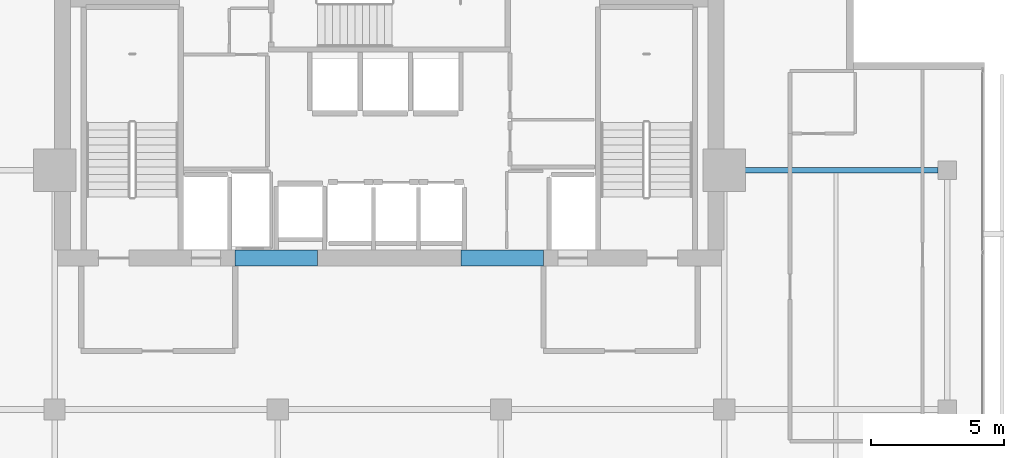
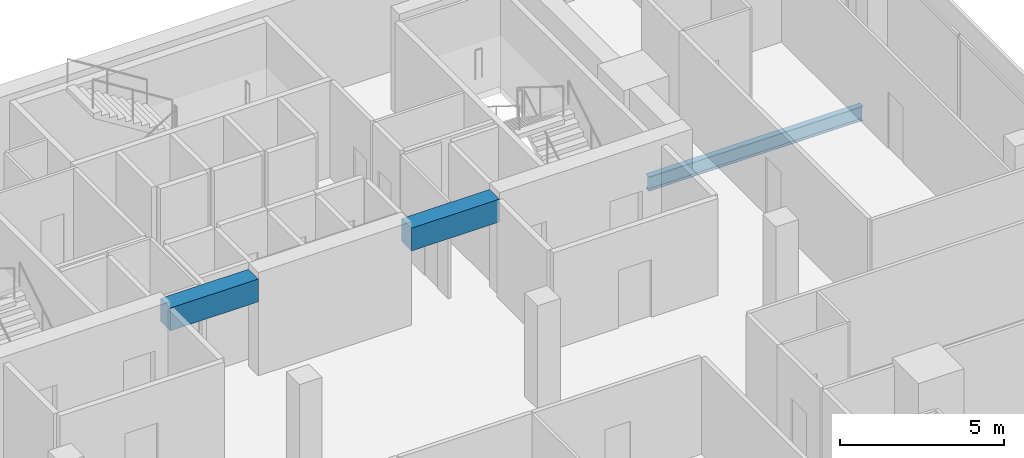
# One storey, part 17 of 25: 3 beams.
"""IFC4 building model written with IfcOpenShell, lengths in metres."""

import ifcopenshell
import ifcopenshell.guid

model = None  # the IFC model being written
_history = None  # IfcOwnerHistory: only IFC2X3 demands one
_inside = {}  # id of a spatial element -> (the spatial element, [elements in it])
_under = {}  # id of a project, library or spatial element -> (it, [spatial elements below it])
_declared = {}  # id of a project -> (the project, [libraries it declares])
_typed = {}  # id of a type object -> (the type object, [elements of that type])
_made_of = {}  # id of a material, layer set ... -> (it, [elements and type objects made of it])


def new_model(schema):
    """Start an empty IFC model of exactly this schema.

    Asked for "IFC4X3", IfcOpenShell would pick the latest addendum, in which some entities
    have other attributes; the version numbers below select the first issue.
    IFC2X3 requires an IfcOwnerHistory on every rooted entity: one is made here for all.
    """
    global model, _history
    if schema == "IFC4X3":
        model = ifcopenshell.file(schema_version=(4, 3, 0, 0))
    else:
        model = ifcopenshell.file(schema=schema)
    _inside.clear()
    _under.clear()
    _declared.clear()
    _typed.clear()
    _made_of.clear()
    _history = None
    if model.schema == "IFC2X3":
        org = make("IfcOrganization", Name="unknown")
        user = make(
            "IfcPersonAndOrganization",
            ThePerson=make("IfcPerson", FamilyName="unknown"),
            TheOrganization=org,
        )
        app = make(
            "IfcApplication",
            ApplicationDeveloper=org,
            Version="unknown",
            ApplicationFullName="unknown",
            ApplicationIdentifier="unknown",
        )
        _history = make(
            "IfcOwnerHistory",
            OwningUser=user,
            OwningApplication=app,
            ChangeAction="ADDED",
            CreationDate=0,
        )
    return model


def make(cls, **values):
    """One entity of the class cls with the attributes given. An attribute that is None is left unset."""
    return model.create_entity(
        cls, **{name: value for name, value in values.items() if value is not None}
    )


def rooted(cls, **values):
    """An entity with a GlobalId (a new one), such as an element, a storey or a relation."""
    return make(cls, GlobalId=ifcopenshell.guid.new(), OwnerHistory=_history, **values)


def si_unit(unit_type, name, prefix=None):
    """IfcSIUnit, for example si_unit("LENGTHUNIT", "METRE", prefix="MILLI")."""
    return make("IfcSIUnit", UnitType=unit_type, Prefix=prefix, Name=name)


def assignment(units):
    """IfcUnitAssignment: the units of a project."""
    return None if units is None else make("IfcUnitAssignment", Units=units)


def point(xyz):
    """IfcCartesianPoint."""
    return None if xyz is None else make("IfcCartesianPoint", Coordinates=xyz)


def direction(xyz):
    """IfcDirection."""
    return None if xyz is None else make("IfcDirection", DirectionRatios=xyz)


def frame(location, z_axis=None, x_axis=None):
    """IfcAxis2Placement3D, a coordinate frame: its origin and axes. An axis left out is left unset."""
    return make(
        "IfcAxis2Placement3D",
        Location=point(location),
        Axis=direction(z_axis),
        RefDirection=direction(x_axis),
    )


def frame_2d(location, x_axis=None):
    """IfcAxis2Placement2D, a coordinate frame in the plane: its origin and x axis."""
    return make(
        "IfcAxis2Placement2D", Location=point(location), RefDirection=direction(x_axis)
    )


def origin():
    """The frame at (0, 0, 0) with its axes left unset."""
    return frame((0.0, 0.0, 0.0))


def origin_2d():
    """The frame at (0, 0) in the plane with its x axis left unset."""
    return frame_2d((0.0, 0.0))


def place(relative_to, where):
    """IfcLocalPlacement: puts the frame where relative to a parent placement (None: the world)."""
    return make(
        "IfcLocalPlacement", PlacementRelTo=relative_to, RelativePlacement=where
    )


def context(
    kind, dimensions, precision=None, world=None, true_north=None, identifier=None
):
    """IfcGeometricRepresentationContext, for example the 3D "Model" context."""
    return make(
        "IfcGeometricRepresentationContext",
        ContextIdentifier=identifier,
        ContextType=kind,
        CoordinateSpaceDimension=dimensions,
        Precision=precision,
        WorldCoordinateSystem=world,
        TrueNorth=true_north,
    )


def subcontext(parent, identifier, kind, view, scale=None):
    """IfcGeometricRepresentationSubContext, for example "Body" below "Model"."""
    return make(
        "IfcGeometricRepresentationSubContext",
        ContextIdentifier=identifier,
        ContextType=kind,
        ParentContext=parent,
        TargetScale=scale,
        TargetView=view,
    )


def project(units=None, contexts=None):
    """IfcProject with its units and contexts."""
    return rooted(
        "IfcProject",
        Name="project",
        RepresentationContexts=contexts,
        UnitsInContext=assignment(units),
    )


def spatial(cls, under=None, at=None, **own):
    """A site, building, storey or space (cls), placed at a placement, below another one or the project."""
    s = rooted(cls, ObjectPlacement=at, **own)
    if under is not None:
        _under.setdefault(under.id(), (under, []))[1].append(s)
    return s


def profile(cls, at=None, kind="AREA", **sizes):
    """A parametric profile (cls). Its sizes go by their IFC names, for example OverallWidth=200.0."""
    return make(cls, ProfileType=kind, Position=at, **sizes)


def rectangle(**sizes):
    """IfcRectangleProfileDef."""
    return profile("IfcRectangleProfileDef", **sizes)


def i_section(**sizes):
    """IfcIShapeProfileDef."""
    return profile("IfcIShapeProfileDef", **sizes)


def extrude(swept, where, along, depth):
    """IfcExtrudedAreaSolid: the profile swept, set in the frame where, extruded along a direction by depth."""
    return make(
        "IfcExtrudedAreaSolid",
        SweptArea=swept,
        Position=where,
        ExtrudedDirection=direction(along),
        Depth=depth,
    )


def shape(context_of_items, identifier, shape_type, items):
    """IfcShapeRepresentation: the items that make up one representation, for example the "Body"."""
    return make(
        "IfcShapeRepresentation",
        ContextOfItems=context_of_items,
        RepresentationIdentifier=identifier,
        RepresentationType=shape_type,
        Items=items,
    )


def material(Name=None, Category=None):
    """IfcMaterial."""
    return make("IfcMaterial", Name=Name, Category=Category)


def material_profile(
    of_material, cross_section, Name=None, Category=None, Priority=None
):
    """IfcMaterialProfile: a cross section and its material."""
    return make(
        "IfcMaterialProfile",
        Name=Name,
        Material=of_material,
        Profile=cross_section,
        Priority=Priority,
        Category=Category,
    )


def profile_set(profiles, Name=None, composite=None):
    """IfcMaterialProfileSet."""
    return make(
        "IfcMaterialProfileSet",
        Name=Name,
        MaterialProfiles=profiles,
        CompositeProfile=composite,
    )


def made_of(thing, what):
    """Note that an element or type object is made of a material, layer set ...; save() writes the relation."""
    if what is not None:
        _made_of.setdefault(what.id(), (what, []))[1].append(thing)
    return thing


def type_object(cls, material=None, **own):
    """A type object (cls), such as IfcWallType, which elements share."""
    return made_of(rooted(cls, **own), material)


def element(
    cls,
    number,
    at=None,
    inside=None,
    cuts=None,
    type_object=None,
    material=None,
    context=None,
    identifier="Body",
    shape_type=None,
    held_by="IfcProductDefinitionShape",
    body=None,
    shapes=None,
    **own,
):
    """One element of the class cls, such as IfcWall. Its Tag is "e" and its number.

    at: its placement. inside: the storey or other place that contains it. cuts: it is an
    opening in that element (IfcRelVoidsElement). A single representation is given by context,
    identifier, shape_type and body (its items); several are given by shapes. held_by: the class
    of the entity that holds the representations. save() writes the other relations.
    """
    e = rooted(cls, Tag="e%d" % number, ObjectPlacement=at, **own)
    if body is not None:
        shapes = [shape(context, identifier, shape_type, body)]
    if shapes is not None:
        e.Representation = make(held_by, Representations=shapes)
    if inside is not None:
        _inside.setdefault(inside.id(), (inside, []))[1].append(e)
    if cuts is not None:
        rooted(
            "IfcRelVoidsElement", RelatingBuildingElement=cuts, RelatedOpeningElement=e
        )
    if type_object is not None:
        _typed.setdefault(type_object.id(), (type_object, []))[1].append(e)
    return made_of(e, material)


def aggregate(whole, parts):
    """IfcRelAggregates: a whole, such as a stair, and the parts it consists of."""
    return rooted("IfcRelAggregates", RelatingObject=whole, RelatedObjects=parts)


def save(model, path):
    """Write the relations noted so far, then the file.

    IfcRelAggregates (storeys below a building ...), IfcRelContainedInSpatialStructure (elements
    in a storey), IfcRelDefinesByType, IfcRelAssociatesMaterial and IfcRelDeclares: one each for
    every whole, place, type object, material and project.
    """
    for whole, parts in _under.values():
        aggregate(whole, parts)
    for where, things in _inside.values():
        rooted(
            "IfcRelContainedInSpatialStructure",
            RelatedElements=things,
            RelatingStructure=where,
        )
    for kind, things in _typed.values():
        rooted("IfcRelDefinesByType", RelatedObjects=things, RelatingType=kind)
    for what, things in _made_of.values():
        rooted("IfcRelAssociatesMaterial", RelatedObjects=things, RelatingMaterial=what)
    for by, libraries in _declared.values():
        rooted("IfcRelDeclares", RelatingContext=by, RelatedDefinitions=libraries)
    model.write(path)


model = new_model("IFC4")

# Units and contexts
model_context = context("Model", 3, precision=1e-05, world=origin(), true_north=direction((0.0, 1.0)))
body_context = subcontext(model_context, "Body", "Model", "MODEL_VIEW")
ifc_project = project(units=[si_unit("LENGTHUNIT", "METRE"), si_unit("AREAUNIT", "SQUARE_METRE"), si_unit("VOLUMEUNIT", "CUBIC_METRE"), si_unit("PLANEANGLEUNIT", "RADIAN"), si_unit("MASSUNIT", "GRAM", prefix="KILO")], contexts=[model_context])

# Site, building, storey
site_placement = place(None, origin())
site = spatial("IfcSite", under=ifc_project, at=site_placement, CompositionType="ELEMENT")
building_placement = place(site_placement, origin())
building = spatial("IfcBuilding", under=site, at=building_placement, Name="Maruvema Waterfront Hotel and Observation Tower", CompositionType="ELEMENT")
storey_placement = place(building_placement, frame((0.0, 0.0, 274.050048828125)))
storey = spatial("IfcBuildingStorey", under=building, at=storey_placement, Name="L67", CompositionType="ELEMENT", Elevation=274.050048828125)

# Beams
ifc_material_1 = material(Name="Concrete C60/75", Category="concrete")
ifc_material_profile_1 = material_profile(ifc_material_1, rectangle(XDim=0.60009765625, YDim=0.85009765625, at=origin_2d()), Name="CB600x850")
ifc_profile_set_1 = profile_set([ifc_material_profile_1], Name="Concrete C60/75")
beam_type_1 = type_object("IfcBeamType", Name="Core Coupling Lintel Beam CB600x850", PredefinedType="LINTEL", material=ifc_profile_set_1)
for number, where, z_axis, x_axis, name in (
    (1, (32.0, 41.699951171875, 3.18505859375), (1.0, 0.0, 0.0), (0.0, 1.0, 0.0), "L67 Core Coupling Lintel Beam West"),
    (2, (40.5, 41.699951171875, 3.18505859375), (1.0, 0.0, 0.0), (0.0, 1.0, 0.0), "L67 Core Coupling Lintel Beam East"),
):
    element("IfcBeam", number, at=place(storey_placement, frame(where, z_axis=z_axis, x_axis=x_axis)), inside=storey, type_object=beam_type_1, Name=name, PredefinedType="LINTEL", context=body_context, shape_type="SweptSolid", body=[
        extrude(rectangle(XDim=0.60009765625, YDim=0.85009765625, at=origin_2d()), origin(), (0.0, 0.0, 1.0), 3.10009765625),
    ])
ifc_material_2 = material(Name="Steel ASTM A572 Grade 50", Category="steel")
ifc_material_profile_2 = material_profile(ifc_material_2, i_section(OverallWidth=0.208984375, OverallDepth=0.532958984375, WebThickness=0.01025390625, FlangeThickness=0.015625, FilletRadius=0.014892578125, at=origin_2d()), Name="W530x92.0")
ifc_profile_set_2 = profile_set([ifc_material_profile_2], Name="Steel ASTM A572 Grade 50")
beam_type_2 = type_object("IfcBeamType", Name="Primary Floor Girder W530x92.0", PredefinedType="BEAM", material=ifc_profile_set_2)
beam_placement = place(storey_placement, frame((50.89990234375, 45.0, -0.506591796875), z_axis=(1.0, 0.0, 0.0), x_axis=(0.0, 1.0, 0.0)))
element("IfcBeam", 3, at=beam_placement, inside=storey, type_object=beam_type_2, Name="L67 Floor Girder EW-18", PredefinedType="BEAM", context=body_context, shape_type="SweptSolid", body=[
    extrude(i_section(OverallWidth=0.208984375, OverallDepth=0.532958984375, WebThickness=0.01025390625, FlangeThickness=0.015625, FilletRadius=0.014892578125, at=origin_2d()), origin(), (0.0, 0.0, 1.0), 7.550048828125),
])

save(model, "model.ifc")
